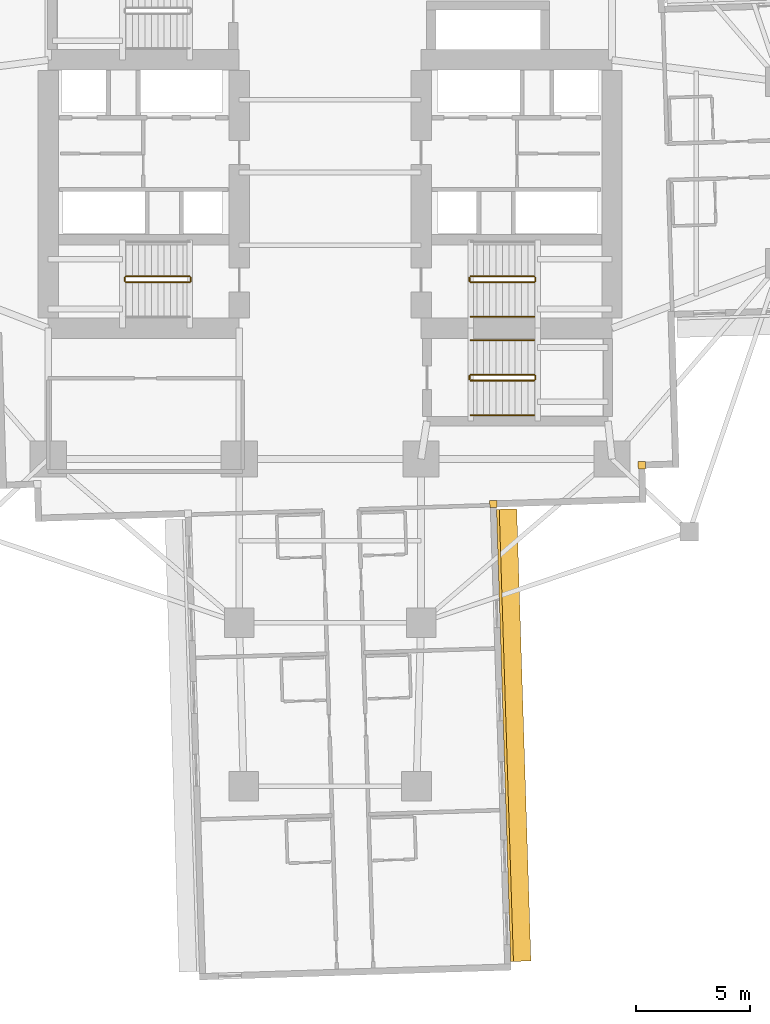
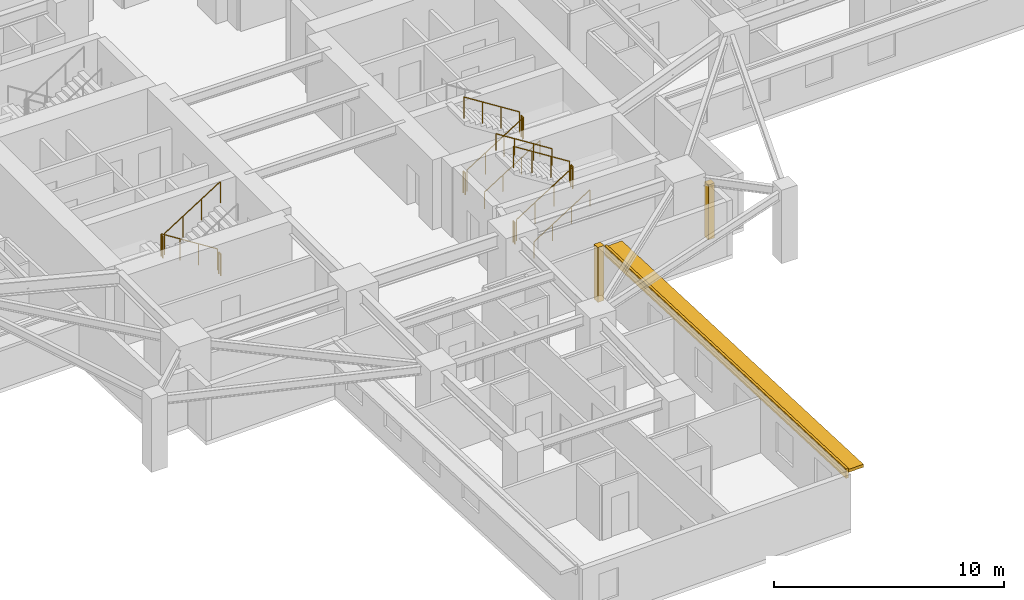
# One storey, part 12 of 15: 15 railings, 3 coverings, 1 shading device.
"""IFC4 building model written with IfcOpenShell, lengths in metres."""

import ifcopenshell
import ifcopenshell.guid

model = None  # the IFC model being written
_history = None  # IfcOwnerHistory: only IFC2X3 demands one
_inside = {}  # id of a spatial element -> (the spatial element, [elements in it])
_under = {}  # id of a project, library or spatial element -> (it, [spatial elements below it])
_declared = {}  # id of a project -> (the project, [libraries it declares])
_typed = {}  # id of a type object -> (the type object, [elements of that type])
_made_of = {}  # id of a material, layer set ... -> (it, [elements and type objects made of it])


def new_model(schema):
    """Start an empty IFC model of exactly this schema.

    Asked for "IFC4X3", IfcOpenShell would pick the latest addendum, in which some entities
    have other attributes; the version numbers below select the first issue.
    IFC2X3 requires an IfcOwnerHistory on every rooted entity: one is made here for all.
    """
    global model, _history
    if schema == "IFC4X3":
        model = ifcopenshell.file(schema_version=(4, 3, 0, 0))
    else:
        model = ifcopenshell.file(schema=schema)
    _inside.clear()
    _under.clear()
    _declared.clear()
    _typed.clear()
    _made_of.clear()
    _history = None
    if model.schema == "IFC2X3":
        org = make("IfcOrganization", Name="unknown")
        user = make(
            "IfcPersonAndOrganization",
            ThePerson=make("IfcPerson", FamilyName="unknown"),
            TheOrganization=org,
        )
        app = make(
            "IfcApplication",
            ApplicationDeveloper=org,
            Version="unknown",
            ApplicationFullName="unknown",
            ApplicationIdentifier="unknown",
        )
        _history = make(
            "IfcOwnerHistory",
            OwningUser=user,
            OwningApplication=app,
            ChangeAction="ADDED",
            CreationDate=0,
        )
    return model


def make(cls, **values):
    """One entity of the class cls with the attributes given. An attribute that is None is left unset."""
    return model.create_entity(
        cls, **{name: value for name, value in values.items() if value is not None}
    )


def rooted(cls, **values):
    """An entity with a GlobalId (a new one), such as an element, a storey or a relation."""
    return make(cls, GlobalId=ifcopenshell.guid.new(), OwnerHistory=_history, **values)


def si_unit(unit_type, name, prefix=None):
    """IfcSIUnit, for example si_unit("LENGTHUNIT", "METRE", prefix="MILLI")."""
    return make("IfcSIUnit", UnitType=unit_type, Prefix=prefix, Name=name)


def assignment(units):
    """IfcUnitAssignment: the units of a project."""
    return None if units is None else make("IfcUnitAssignment", Units=units)


def point(xyz):
    """IfcCartesianPoint."""
    return None if xyz is None else make("IfcCartesianPoint", Coordinates=xyz)


def direction(xyz):
    """IfcDirection."""
    return None if xyz is None else make("IfcDirection", DirectionRatios=xyz)


def frame(location, z_axis=None, x_axis=None):
    """IfcAxis2Placement3D, a coordinate frame: its origin and axes. An axis left out is left unset."""
    return make(
        "IfcAxis2Placement3D",
        Location=point(location),
        Axis=direction(z_axis),
        RefDirection=direction(x_axis),
    )


def frame_2d(location, x_axis=None):
    """IfcAxis2Placement2D, a coordinate frame in the plane: its origin and x axis."""
    return make(
        "IfcAxis2Placement2D", Location=point(location), RefDirection=direction(x_axis)
    )


def origin():
    """The frame at (0, 0, 0) with its axes left unset."""
    return frame((0.0, 0.0, 0.0))


def origin_2d():
    """The frame at (0, 0) in the plane with its x axis left unset."""
    return frame_2d((0.0, 0.0))


def place(relative_to, where):
    """IfcLocalPlacement: puts the frame where relative to a parent placement (None: the world)."""
    return make(
        "IfcLocalPlacement", PlacementRelTo=relative_to, RelativePlacement=where
    )


def context(
    kind, dimensions, precision=None, world=None, true_north=None, identifier=None
):
    """IfcGeometricRepresentationContext, for example the 3D "Model" context."""
    return make(
        "IfcGeometricRepresentationContext",
        ContextIdentifier=identifier,
        ContextType=kind,
        CoordinateSpaceDimension=dimensions,
        Precision=precision,
        WorldCoordinateSystem=world,
        TrueNorth=true_north,
    )


def subcontext(parent, identifier, kind, view, scale=None):
    """IfcGeometricRepresentationSubContext, for example "Body" below "Model"."""
    return make(
        "IfcGeometricRepresentationSubContext",
        ContextIdentifier=identifier,
        ContextType=kind,
        ParentContext=parent,
        TargetScale=scale,
        TargetView=view,
    )


def project(units=None, contexts=None):
    """IfcProject with its units and contexts."""
    return rooted(
        "IfcProject",
        Name="project",
        RepresentationContexts=contexts,
        UnitsInContext=assignment(units),
    )


def spatial(cls, under=None, at=None, **own):
    """A site, building, storey or space (cls), placed at a placement, below another one or the project."""
    s = rooted(cls, ObjectPlacement=at, **own)
    if under is not None:
        _under.setdefault(under.id(), (under, []))[1].append(s)
    return s


def profile(cls, at=None, kind="AREA", **sizes):
    """A parametric profile (cls). Its sizes go by their IFC names, for example OverallWidth=200.0."""
    return make(cls, ProfileType=kind, Position=at, **sizes)


def rectangle(**sizes):
    """IfcRectangleProfileDef."""
    return profile("IfcRectangleProfileDef", **sizes)


def circle(**sizes):
    """IfcCircleProfileDef."""
    return profile("IfcCircleProfileDef", **sizes)


def extrude(swept, where, along, depth):
    """IfcExtrudedAreaSolid: the profile swept, set in the frame where, extruded along a direction by depth."""
    return make(
        "IfcExtrudedAreaSolid",
        SweptArea=swept,
        Position=where,
        ExtrudedDirection=direction(along),
        Depth=depth,
    )


def shape(context_of_items, identifier, shape_type, items):
    """IfcShapeRepresentation: the items that make up one representation, for example the "Body"."""
    return make(
        "IfcShapeRepresentation",
        ContextOfItems=context_of_items,
        RepresentationIdentifier=identifier,
        RepresentationType=shape_type,
        Items=items,
    )


def material(Name=None, Category=None):
    """IfcMaterial."""
    return make("IfcMaterial", Name=Name, Category=Category)


def layer(
    of_material, thickness, ventilated=None, Name=None, Category=None, Priority=None
):
    """IfcMaterialLayer: one layer of a wall or slab, of a material (None: an air gap)."""
    return make(
        "IfcMaterialLayer",
        Material=of_material,
        LayerThickness=thickness,
        IsVentilated=ventilated,
        Name=Name,
        Category=Category,
        Priority=Priority,
    )


def layer_set(layers, Name=None):
    """IfcMaterialLayerSet."""
    return make("IfcMaterialLayerSet", MaterialLayers=layers, LayerSetName=Name)


def made_of(thing, what):
    """Note that an element or type object is made of a material, layer set ...; save() writes the relation."""
    if what is not None:
        _made_of.setdefault(what.id(), (what, []))[1].append(thing)
    return thing


def type_object(cls, material=None, **own):
    """A type object (cls), such as IfcWallType, which elements share."""
    return made_of(rooted(cls, **own), material)


def element(
    cls,
    number,
    at=None,
    inside=None,
    cuts=None,
    type_object=None,
    material=None,
    context=None,
    identifier="Body",
    shape_type=None,
    held_by="IfcProductDefinitionShape",
    body=None,
    shapes=None,
    **own,
):
    """One element of the class cls, such as IfcWall. Its Tag is "e" and its number.

    at: its placement. inside: the storey or other place that contains it. cuts: it is an
    opening in that element (IfcRelVoidsElement). A single representation is given by context,
    identifier, shape_type and body (its items); several are given by shapes. held_by: the class
    of the entity that holds the representations. save() writes the other relations.
    """
    e = rooted(cls, Tag="e%d" % number, ObjectPlacement=at, **own)
    if body is not None:
        shapes = [shape(context, identifier, shape_type, body)]
    if shapes is not None:
        e.Representation = make(held_by, Representations=shapes)
    if inside is not None:
        _inside.setdefault(inside.id(), (inside, []))[1].append(e)
    if cuts is not None:
        rooted(
            "IfcRelVoidsElement", RelatingBuildingElement=cuts, RelatedOpeningElement=e
        )
    if type_object is not None:
        _typed.setdefault(type_object.id(), (type_object, []))[1].append(e)
    return made_of(e, material)


def aggregate(whole, parts):
    """IfcRelAggregates: a whole, such as a stair, and the parts it consists of."""
    return rooted("IfcRelAggregates", RelatingObject=whole, RelatedObjects=parts)


def save(model, path):
    """Write the relations noted so far, then the file.

    IfcRelAggregates (storeys below a building ...), IfcRelContainedInSpatialStructure (elements
    in a storey), IfcRelDefinesByType, IfcRelAssociatesMaterial and IfcRelDeclares: one each for
    every whole, place, type object, material and project.
    """
    for whole, parts in _under.values():
        aggregate(whole, parts)
    for where, things in _inside.values():
        rooted(
            "IfcRelContainedInSpatialStructure",
            RelatedElements=things,
            RelatingStructure=where,
        )
    for kind, things in _typed.values():
        rooted("IfcRelDefinesByType", RelatedObjects=things, RelatingType=kind)
    for what, things in _made_of.values():
        rooted("IfcRelAssociatesMaterial", RelatedObjects=things, RelatingMaterial=what)
    for by, libraries in _declared.values():
        rooted("IfcRelDeclares", RelatingContext=by, RelatedDefinitions=libraries)
    model.write(path)


model = new_model("IFC4")

# Units and contexts
model_context = context("Model", 3, precision=1e-05, world=origin(), true_north=direction((0.0, 1.0)))
body_context = subcontext(model_context, "Body", "Model", "MODEL_VIEW")
ifc_project = project(units=[si_unit("LENGTHUNIT", "METRE"), si_unit("AREAUNIT", "SQUARE_METRE"), si_unit("VOLUMEUNIT", "CUBIC_METRE"), si_unit("PLANEANGLEUNIT", "RADIAN"), si_unit("MASSUNIT", "GRAM", prefix="KILO")], contexts=[model_context])

# Site, building, storey
site_placement = place(None, origin())
site = spatial("IfcSite", under=ifc_project, at=site_placement, CompositionType="ELEMENT")
building_placement = place(site_placement, origin())
building = spatial("IfcBuilding", under=site, at=building_placement, Name="Qingluan Cross Belvedere", CompositionType="ELEMENT")
storey_placement = place(building_placement, frame((0.0, 0.0, 31.5)))
storey = spatial("IfcBuildingStorey", under=building, at=storey_placement, Name="L08", CompositionType="ELEMENT", Elevation=31.5)

# Coverings
ifc_material_1 = material(Name="Precast concrete C45", Category="concrete")
ifc_layer_1 = layer(ifc_material_1, 0.1201171875, Name="ConcreteSpandrelCladding_120")
ifc_layer_set_1 = layer_set([ifc_layer_1], Name="Precast concrete C45")
covering_type = type_object("IfcCoveringType", Name="ConcreteSpandrelCladding_120", PredefinedType="CLADDING", material=ifc_layer_set_1)
covering_placement = place(storey_placement, frame((7.691650390625, -24.760498046875, 2.449951171875), z_axis=(0.0, 0.0, 1.0), x_axis=(-0.031407934627, 0.999506649124, 0.0)))
element("IfcCovering", 1, at=covering_placement, inside=storey, type_object=covering_type, Name="Spandrel cladding L08-SB", PredefinedType="CLADDING", context=body_context, shape_type="SweptSolid", body=[
    extrude(rectangle(XDim=19.89990234375, YDim=0.1201171875, at=origin_2d()), origin(), (0.0, 0.0, 1.0), 0.52001953125),
])
for number, where, z_axis, x_axis, name in (
    (2, (13.711181640625, -12.875732421875, 0.0), (0.0, 0.0, 1.0), (0.999506560366, 0.031410759078, 0.0), "Corner closure L08-SE1"),
    (3, (7.181640625, -14.58154296875, 0.0), (0.0, 0.0, 1.0), (0.999506560366, 0.031410759078, 0.0), "Corner closure L08-SE2"),
):
    element("IfcCovering", number, at=place(storey_placement, frame(where, z_axis=z_axis, x_axis=x_axis)), inside=storey, type_object=covering_type, Name=name, PredefinedType="CLADDING", context=body_context, shape_type="SweptSolid", body=[
        extrude(rectangle(XDim=0.320068359375, YDim=0.320068359375, at=origin_2d()), origin(), (0.0, 0.0, 1.0), 2.909912109375),
    ])

# Shading device
ifc_material_2 = material(Name="Precast concrete C45", Category="concrete")
ifc_layer_2 = layer(ifc_material_2, 0.159912109375, Name="ConcreteSunshadeBand_900")
ifc_layer_set_2 = layer_set([ifc_layer_2], Name="Precast concrete C45")
shading_device_type = type_object("IfcShadingDeviceType", Name="ConcreteSunshadeBand_900", PredefinedType="USERDEFINED", material=ifc_layer_set_2)
shading_device_placement = place(storey_placement, frame((8.0712890625, -24.74853515625, 2.72998046875), z_axis=(0.0, 0.0, 1.0), x_axis=(-0.031407934627, 0.999506649124, 0.0)))
element("IfcShadingDevice", 4, at=shading_device_placement, inside=storey, type_object=shading_device_type, Name="Concrete SUNSHADE L08-SB", ObjectType="SUNSHADE", PredefinedType="USERDEFINED", context=body_context, shape_type="SweptSolid", body=[
    extrude(rectangle(XDim=19.89990234375, YDim=0.89990234375, at=origin_2d()), origin(), (0.0, 0.0, 1.0), 0.159912109375),
])

# Railings
ifc_material_3 = material(Name="Brushed stainless steel tubular handrail", Category="steel")
railing_type_1 = type_object("IfcRailingType", Name="StairPitchHandrail_900", PredefinedType="HANDRAIL", material=ifc_material_3)
for number, where, name in (
    (5, (6.179931640625, -6.35009765625, 0.17724609375), "L08 ST2 stair handrail 1"),
    (6, (6.179931640625, -10.669921875, 0.17724609375), "L08 ST4 stair handrail 1"),
):
    element("IfcRailing", number, at=place(storey_placement, frame(where)), inside=storey, type_object=railing_type_1, Name=name, PredefinedType="HANDRAIL", context=body_context, shape_type="SweptSolid", body=[
        extrude(circle(Radius=0.02392578125, at=origin_2d()), frame((0.0, 0.0, 0.8759765625), z_axis=(0.844908973607, 0.0, 0.534910110503), x_axis=(0.0, 1.0, 0.0)), (0.0, 0.0, 1.0), 3.31396484375),
        extrude(circle(Radius=0.02099609375, at=origin_2d()), origin(), (0.0, 0.0, 1.0), 0.851806640625),
        extrude(circle(Radius=0.02099609375, at=origin_2d()), frame((0.933349609375, 0.0, 0.5908203125)), (0.0, 0.0, 1.0), 0.851806640625),
        extrude(circle(Radius=0.02099609375, at=origin_2d()), frame((1.86669921875, 0.0, 1.181884765625)), (0.0, 0.0, 1.0), 0.851806640625),
        extrude(circle(Radius=0.02099609375, at=origin_2d()), frame((2.800048828125, 0.0, 1.772705078125)), (0.0, 0.0, 1.0), 0.851806640625),
    ])
railing_1_placement = place(storey_placement, frame((8.97998046875, -7.3701171875, 2.127197265625)))
element("IfcRailing", 7, at=railing_1_placement, inside=storey, type_object=railing_type_1, Name="L08 ST4 stair handrail 2", PredefinedType="HANDRAIL", context=body_context, shape_type="SweptSolid", body=[
    extrude(circle(Radius=0.02392578125, at=origin_2d()), frame((0.0, 0.0, 0.8759765625), z_axis=(-0.844908973607, 0.0, 0.534910110503), x_axis=(0.0, -1.0, 0.0)), (0.0, 0.0, 1.0), 3.31396484375),
    extrude(circle(Radius=0.02099609375, at=origin_2d()), origin(), (0.0, 0.0, 1.0), 0.851806640625),
    extrude(circle(Radius=0.02099609375, at=origin_2d()), frame((-0.933349609375, 0.0, 0.5908203125)), (0.0, 0.0, 1.0), 0.851806640625),
    extrude(circle(Radius=0.02099609375, at=origin_2d()), frame((-1.86669921875, 0.0, 1.181884765625)), (0.0, 0.0, 1.0), 0.851806640625),
    extrude(circle(Radius=0.02099609375, at=origin_2d()), frame((-2.800048828125, 0.0, 1.772705078125)), (0.0, 0.0, 1.0), 0.851806640625),
])
ifc_material_4 = material(Name="Painted steel stair well guard", Category="steel")
railing_type_2 = type_object("IfcRailingType", Name="StairWellGuard_1150", PredefinedType="BALUSTRADE", material=ifc_material_4)
railing_2_placement = place(storey_placement, frame((-6.179931640625, -4.570068359375, 0.17724609375)))
element("IfcRailing", 8, at=railing_2_placement, inside=storey, type_object=railing_type_2, Name="L08 ST1 stair guard 1", PredefinedType="BALUSTRADE", context=body_context, shape_type="SweptSolid", body=[
    extrude(circle(Radius=0.02392578125, at=origin_2d()), frame((0.0, 0.0, 1.1259765625), z_axis=(-0.844908973607, 0.0, 0.534910110503), x_axis=(0.0, -1.0, 0.0)), (0.0, 0.0, 1.0), 3.31396484375),
    extrude(circle(Radius=0.02099609375, at=origin_2d()), origin(), (0.0, 0.0, 1.0), 1.101806640625),
    extrude(circle(Radius=0.02099609375, at=origin_2d()), frame((-0.933349609375, 0.0, 0.5908203125)), (0.0, 0.0, 1.0), 1.101806640625),
    extrude(circle(Radius=0.02099609375, at=origin_2d()), frame((-1.86669921875, 0.0, 1.181884765625)), (0.0, 0.0, 1.0), 1.101806640625),
    extrude(circle(Radius=0.02099609375, at=origin_2d()), frame((-2.800048828125, 0.0, 1.772705078125)), (0.0, 0.0, 1.0), 1.101806640625),
])
railing_3_placement = place(storey_placement, frame((-9.030029296875, -4.6201171875, 1.949951171875)))
element("IfcRailing", 9, at=railing_3_placement, inside=storey, type_object=railing_type_2, Name="L08 ST1 stair guard 2", PredefinedType="BALUSTRADE", context=body_context, shape_type="SweptSolid", body=[
    extrude(circle(Radius=0.02392578125, at=origin_2d()), frame((0.0, 0.0, 1.1259765625), z_axis=(0.0, -1.0, 0.0), x_axis=(1.0, 0.0, 0.0)), (0.0, 0.0, 1.0), 0.159912109375),
    extrude(circle(Radius=0.02099609375, at=origin_2d()), origin(), (0.0, 0.0, 1.0), 1.101806640625),
    extrude(circle(Radius=0.02099609375, at=origin_2d()), frame((0.0, -0.159912109375, 0.0)), (0.0, 0.0, 1.0), 1.101806640625),
])
railing_4_placement = place(storey_placement, frame((-8.97998046875, -4.830078125, 2.127197265625)))
element("IfcRailing", 10, at=railing_4_placement, inside=storey, type_object=railing_type_2, Name="L08 ST1 stair guard 3", PredefinedType="BALUSTRADE", context=body_context, shape_type="SweptSolid", body=[
    extrude(circle(Radius=0.02392578125, at=origin_2d()), frame((0.0, 0.0, 1.1259765625), z_axis=(0.844908973607, 0.0, 0.534910110503), x_axis=(0.0, 1.0, 0.0)), (0.0, 0.0, 1.0), 3.31396484375),
    extrude(circle(Radius=0.02099609375, at=origin_2d()), origin(), (0.0, 0.0, 1.0), 1.101806640625),
    extrude(circle(Radius=0.02099609375, at=origin_2d()), frame((0.933349609375, 0.0, 0.5908203125)), (0.0, 0.0, 1.0), 1.101806640625),
    extrude(circle(Radius=0.02099609375, at=origin_2d()), frame((1.86669921875, 0.0, 1.181884765625)), (0.0, 0.0, 1.0), 1.101806640625),
    extrude(circle(Radius=0.02099609375, at=origin_2d()), frame((2.800048828125, 0.0, 1.772705078125)), (0.0, 0.0, 1.0), 1.101806640625),
])
railing_5_placement = place(storey_placement, frame((-6.1298828125, -4.6201171875, 0.0)))
element("IfcRailing", 11, at=railing_5_placement, inside=storey, type_object=railing_type_2, Name="L08 ST1 stair guard 4", PredefinedType="BALUSTRADE", context=body_context, shape_type="SweptSolid", body=[
    extrude(circle(Radius=0.02392578125, at=origin_2d()), frame((0.0, 0.0, 1.1259765625), z_axis=(0.0, -1.0, 0.0), x_axis=(1.0, 0.0, 0.0)), (0.0, 0.0, 1.0), 0.159912109375),
    extrude(circle(Radius=0.02099609375, at=origin_2d()), origin(), (0.0, 0.0, 1.0), 1.101806640625),
    extrude(circle(Radius=0.02099609375, at=origin_2d()), frame((0.0, -0.159912109375, 0.0)), (0.0, 0.0, 1.0), 1.101806640625),
])
railing_6_placement = place(storey_placement, frame((6.179931640625, -4.830078125, 0.17724609375)))
element("IfcRailing", 12, at=railing_6_placement, inside=storey, type_object=railing_type_2, Name="L08 ST2 stair guard 1", PredefinedType="BALUSTRADE", context=body_context, shape_type="SweptSolid", body=[
    extrude(circle(Radius=0.02392578125, at=origin_2d()), frame((0.0, 0.0, 1.1259765625), z_axis=(0.844908973607, 0.0, 0.534910110503), x_axis=(0.0, 1.0, 0.0)), (0.0, 0.0, 1.0), 3.31396484375),
    extrude(circle(Radius=0.02099609375, at=origin_2d()), origin(), (0.0, 0.0, 1.0), 1.101806640625),
    extrude(circle(Radius=0.02099609375, at=origin_2d()), frame((0.933349609375, 0.0, 0.5908203125)), (0.0, 0.0, 1.0), 1.101806640625),
    extrude(circle(Radius=0.02099609375, at=origin_2d()), frame((1.86669921875, 0.0, 1.181884765625)), (0.0, 0.0, 1.0), 1.101806640625),
    extrude(circle(Radius=0.02099609375, at=origin_2d()), frame((2.800048828125, 0.0, 1.772705078125)), (0.0, 0.0, 1.0), 1.101806640625),
])
railing_7_placement = place(storey_placement, frame((9.030029296875, -4.780029296875, 1.949951171875)))
element("IfcRailing", 13, at=railing_7_placement, inside=storey, type_object=railing_type_2, Name="L08 ST2 stair guard 2", PredefinedType="BALUSTRADE", context=body_context, shape_type="SweptSolid", body=[
    extrude(circle(Radius=0.02392578125, at=origin_2d()), frame((0.0, 0.0, 1.1259765625), z_axis=(0.0, 1.0, 0.0), x_axis=(-1.0, 0.0, 0.0)), (0.0, 0.0, 1.0), 0.159912109375),
    extrude(circle(Radius=0.02099609375, at=origin_2d()), origin(), (0.0, 0.0, 1.0), 1.101806640625),
    extrude(circle(Radius=0.02099609375, at=origin_2d()), frame((0.0, 0.159912109375, 0.0)), (0.0, 0.0, 1.0), 1.101806640625),
])
railing_8_placement = place(storey_placement, frame((8.97998046875, -4.570068359375, 2.127197265625)))
element("IfcRailing", 14, at=railing_8_placement, inside=storey, type_object=railing_type_2, Name="L08 ST2 stair guard 3", PredefinedType="BALUSTRADE", context=body_context, shape_type="SweptSolid", body=[
    extrude(circle(Radius=0.02392578125, at=origin_2d()), frame((0.0, 0.0, 1.1259765625), z_axis=(-0.844908973607, 0.0, 0.534910110503), x_axis=(0.0, -1.0, 0.0)), (0.0, 0.0, 1.0), 3.31396484375),
    extrude(circle(Radius=0.02099609375, at=origin_2d()), origin(), (0.0, 0.0, 1.0), 1.101806640625),
    extrude(circle(Radius=0.02099609375, at=origin_2d()), frame((-0.933349609375, 0.0, 0.5908203125)), (0.0, 0.0, 1.0), 1.101806640625),
    extrude(circle(Radius=0.02099609375, at=origin_2d()), frame((-1.86669921875, 0.0, 1.181884765625)), (0.0, 0.0, 1.0), 1.101806640625),
    extrude(circle(Radius=0.02099609375, at=origin_2d()), frame((-2.800048828125, 0.0, 1.772705078125)), (0.0, 0.0, 1.0), 1.101806640625),
])
railing_9_placement = place(storey_placement, frame((6.1298828125, -4.780029296875, 0.0)))
element("IfcRailing", 15, at=railing_9_placement, inside=storey, type_object=railing_type_2, Name="L08 ST2 stair guard 4", PredefinedType="BALUSTRADE", context=body_context, shape_type="SweptSolid", body=[
    extrude(circle(Radius=0.02392578125, at=origin_2d()), frame((0.0, 0.0, 1.1259765625), z_axis=(0.0, 1.0, 0.0), x_axis=(-1.0, 0.0, 0.0)), (0.0, 0.0, 1.0), 0.159912109375),
    extrude(circle(Radius=0.02099609375, at=origin_2d()), origin(), (0.0, 0.0, 1.0), 1.101806640625),
    extrude(circle(Radius=0.02099609375, at=origin_2d()), frame((0.0, 0.159912109375, 0.0)), (0.0, 0.0, 1.0), 1.101806640625),
])
railing_10_placement = place(storey_placement, frame((6.179931640625, -9.14990234375, 0.17724609375)))
element("IfcRailing", 16, at=railing_10_placement, inside=storey, type_object=railing_type_2, Name="L08 ST4 stair guard 1", PredefinedType="BALUSTRADE", context=body_context, shape_type="SweptSolid", body=[
    extrude(circle(Radius=0.02392578125, at=origin_2d()), frame((0.0, 0.0, 1.1259765625), z_axis=(0.844908973607, 0.0, 0.534910110503), x_axis=(0.0, 1.0, 0.0)), (0.0, 0.0, 1.0), 3.31396484375),
    extrude(circle(Radius=0.02099609375, at=origin_2d()), origin(), (0.0, 0.0, 1.0), 1.101806640625),
    extrude(circle(Radius=0.02099609375, at=origin_2d()), frame((0.933349609375, 0.0, 0.5908203125)), (0.0, 0.0, 1.0), 1.101806640625),
    extrude(circle(Radius=0.02099609375, at=origin_2d()), frame((1.86669921875, 0.0, 1.181884765625)), (0.0, 0.0, 1.0), 1.101806640625),
    extrude(circle(Radius=0.02099609375, at=origin_2d()), frame((2.800048828125, 0.0, 1.772705078125)), (0.0, 0.0, 1.0), 1.101806640625),
])
railing_11_placement = place(storey_placement, frame((9.030029296875, -9.10009765625, 1.949951171875)))
element("IfcRailing", 17, at=railing_11_placement, inside=storey, type_object=railing_type_2, Name="L08 ST4 stair guard 2", PredefinedType="BALUSTRADE", context=body_context, shape_type="SweptSolid", body=[
    extrude(circle(Radius=0.02392578125, at=origin_2d()), frame((0.0, 0.0, 1.1259765625), z_axis=(0.0, 1.0, 0.0), x_axis=(-1.0, 0.0, 0.0)), (0.0, 0.0, 1.0), 0.16015625),
    extrude(circle(Radius=0.02099609375, at=origin_2d()), origin(), (0.0, 0.0, 1.0), 1.101806640625),
    extrude(circle(Radius=0.02099609375, at=origin_2d()), frame((0.0, 0.16015625, 0.0)), (0.0, 0.0, 1.0), 1.101806640625),
])
railing_12_placement = place(storey_placement, frame((8.97998046875, -8.889892578125, 2.127197265625)))
element("IfcRailing", 18, at=railing_12_placement, inside=storey, type_object=railing_type_2, Name="L08 ST4 stair guard 3", PredefinedType="BALUSTRADE", context=body_context, shape_type="SweptSolid", body=[
    extrude(circle(Radius=0.02392578125, at=origin_2d()), frame((0.0, 0.0, 1.1259765625), z_axis=(-0.844908973607, 0.0, 0.534910110503), x_axis=(0.0, -1.0, 0.0)), (0.0, 0.0, 1.0), 3.31396484375),
    extrude(circle(Radius=0.02099609375, at=origin_2d()), origin(), (0.0, 0.0, 1.0), 1.101806640625),
    extrude(circle(Radius=0.02099609375, at=origin_2d()), frame((-0.933349609375, 0.0, 0.5908203125)), (0.0, 0.0, 1.0), 1.101806640625),
    extrude(circle(Radius=0.02099609375, at=origin_2d()), frame((-1.86669921875, 0.0, 1.181884765625)), (0.0, 0.0, 1.0), 1.101806640625),
    extrude(circle(Radius=0.02099609375, at=origin_2d()), frame((-2.800048828125, 0.0, 1.772705078125)), (0.0, 0.0, 1.0), 1.101806640625),
])
railing_13_placement = place(storey_placement, frame((6.1298828125, -9.10009765625, 0.0)))
element("IfcRailing", 19, at=railing_13_placement, inside=storey, type_object=railing_type_2, Name="L08 ST4 stair guard 4", PredefinedType="BALUSTRADE", context=body_context, shape_type="SweptSolid", body=[
    extrude(circle(Radius=0.02392578125, at=origin_2d()), frame((0.0, 0.0, 1.1259765625), z_axis=(0.0, 1.0, 0.0), x_axis=(-1.0, 0.0, 0.0)), (0.0, 0.0, 1.0), 0.16015625),
    extrude(circle(Radius=0.02099609375, at=origin_2d()), origin(), (0.0, 0.0, 1.0), 1.101806640625),
    extrude(circle(Radius=0.02099609375, at=origin_2d()), frame((0.0, 0.16015625, 0.0)), (0.0, 0.0, 1.0), 1.101806640625),
])

save(model, "model.ifc")
